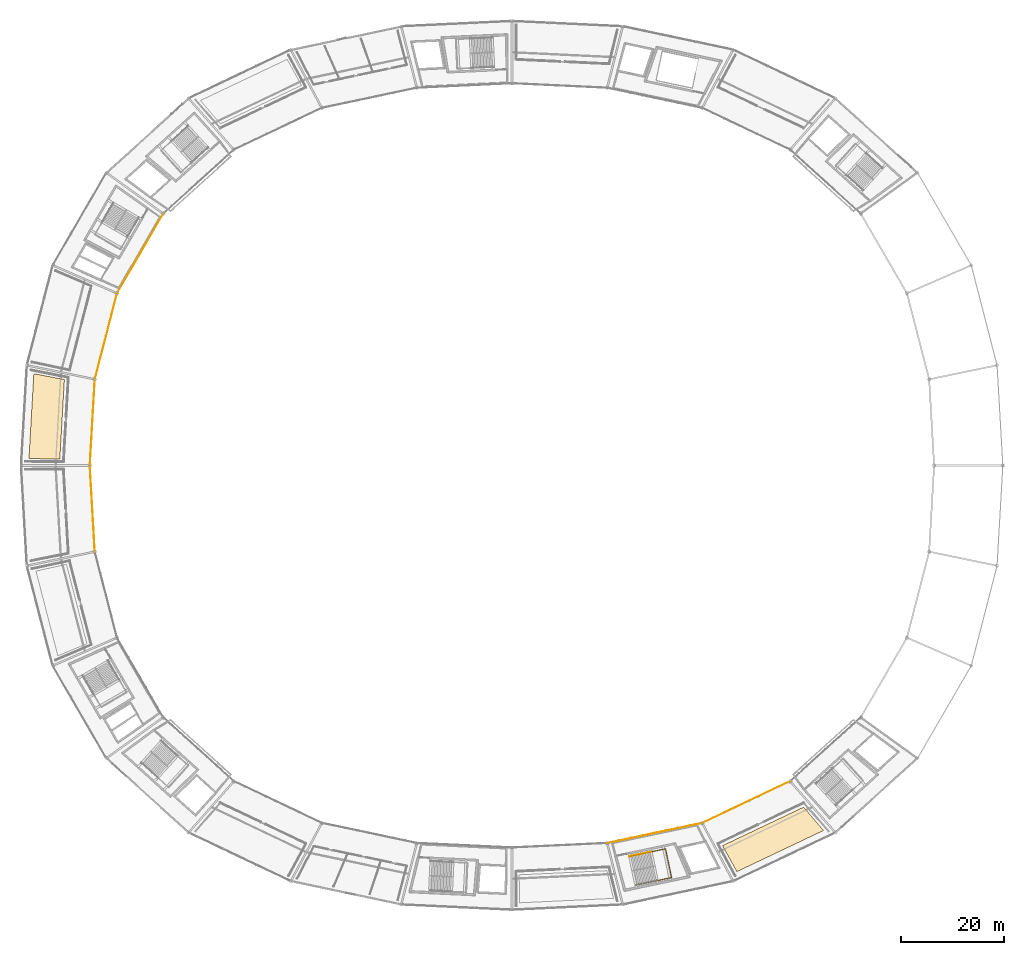
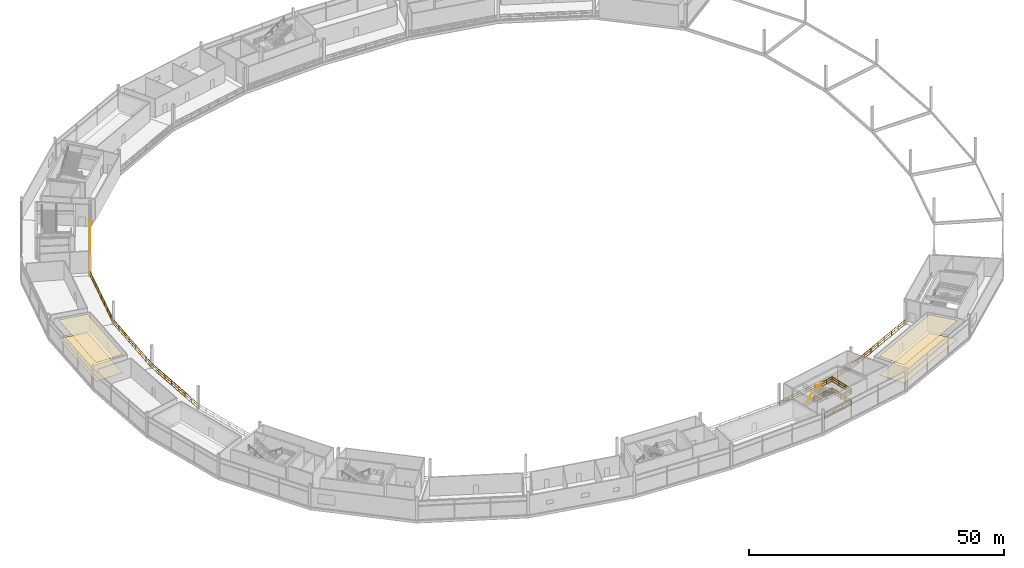
# One storey, part 99 of 103: 9 railings, 4 coverings.
"""IFC4 building model written with IfcOpenShell, lengths in metres."""

from ifc_helpers import new_model, si_unit, direction, frame, origin, origin_2d, place, context, subcontext, project, spatial, polyline, rectangle, outline, extrude, material, layer, layer_set, type_object, element, save


model = new_model("IFC4")

# Units and contexts
model_context = context("Model", 3, precision=1e-05, world=origin(), true_north=direction((0.0, 1.0)))
body_context = subcontext(model_context, "Body", "Model", "MODEL_VIEW")
ifc_project = project(units=[si_unit("LENGTHUNIT", "METRE"), si_unit("AREAUNIT", "SQUARE_METRE"), si_unit("VOLUMEUNIT", "CUBIC_METRE"), si_unit("PLANEANGLEUNIT", "RADIAN"), si_unit("MASSUNIT", "GRAM", prefix="KILO")], contexts=[model_context])

# Site, building, storey
site_placement = place(None, origin())
site = spatial("IfcSite", under=ifc_project, at=site_placement, CompositionType="ELEMENT")
building_placement = place(site_placement, origin())
building = spatial("IfcBuilding", under=site, at=building_placement, Name="Kazemori Nagisa Stadium", CompositionType="ELEMENT")
storey_placement = place(building_placement, frame((0.0, 0.0, 25.840087890625)))
storey = spatial("IfcBuildingStorey", under=building, at=storey_placement, Name="L05", CompositionType="ELEMENT", Elevation=25.840087890625)

# Coverings
ifc_material_1 = material(Name="Mineral-fibre acoustic board", Category="gypsum")
ifc_layer_1 = layer(ifc_material_1, 0.02001953125, Name="Mineral-fibre acoustic board", Category="gypsum")
ifc_layer_set_1 = layer_set([ifc_layer_1], Name="Mineral-fibre acoustic board")
covering_type_1 = type_object("IfcCoveringType", Name="Cov_CEIL", PredefinedType="CEILING", material=ifc_layer_set_1)
covering_1_placement = place(storey_placement, frame((0.0, 0.0, 4.449951171875)))
element("IfcCovering", 1, at=covering_1_placement, inside=storey, type_object=covering_type_1, Name="Acoustic ceiling L05-B14", PredefinedType="CEILING", context=body_context, shape_type="SweptSolid", body=[
    extrude(outline(polyline([(36.36962890625, 118.6328125), (35.482177734375, 103.251953125), (29.502197265625, 103.33740234375), (30.4501953125, 119.769287109375), (36.36962890625, 118.6328125)])), origin(), (0.0, 0.0, 1.0), 0.02001953125),
])
covering_2_placement = place(storey_placement, frame((0.0, 0.0, 4.449951171875)))
element("IfcCovering", 2, at=covering_2_placement, inside=storey, type_object=covering_type_1, Name="Acoustic ceiling L05-B24", PredefinedType="CEILING", context=body_context, shape_type="SweptSolid", body=[
    extrude(outline(polyline([(163.743408203125, 28.4189453125), (179.43798828125, 35.876708984375), (183.294189453125, 31.3583984375), (166.52734375, 23.39111328125), (163.743408203125, 28.4189453125)])), origin(), (0.0, 0.0, 1.0), 0.02001953125),
])
ifc_material_2 = material(Name="Porcelain stoneware tile", Category="masonry")
ifc_layer_2 = layer(ifc_material_2, 0.02490234375, Name="Porcelain stoneware tile", Category="masonry")
ifc_layer_set_2 = layer_set([ifc_layer_2], Name="Porcelain stoneware tile")
covering_type_2 = type_object("IfcCoveringType", Name="Cov_FLOOR", PredefinedType="FLOORING", material=ifc_layer_set_2)
covering_3_placement = place(storey_placement, origin())
element("IfcCovering", 3, at=covering_3_placement, inside=storey, type_object=covering_type_2, Name="Porcelain floor finish L05-B14", PredefinedType="FLOORING", context=body_context, shape_type="SweptSolid", body=[
    extrude(outline(polyline([(36.36962890625, 118.6328125), (35.482177734375, 103.251953125), (29.502197265625, 103.33740234375), (30.4501953125, 119.769287109375), (36.36962890625, 118.6328125)])), origin(), (0.0, 0.0, 1.0), 0.02490234375),
])
covering_4_placement = place(storey_placement, origin())
element("IfcCovering", 4, at=covering_4_placement, inside=storey, type_object=covering_type_2, Name="Porcelain floor finish L05-B24", PredefinedType="FLOORING", context=body_context, shape_type="SweptSolid", body=[
    extrude(outline(polyline([(163.743408203125, 28.4189453125), (179.43798828125, 35.876708984375), (183.294189453125, 31.3583984375), (166.52734375, 23.39111328125), (163.743408203125, 28.4189453125)])), origin(), (0.0, 0.0, 1.0), 0.02490234375),
])

# Railings
ifc_material_3 = material(Name="Laminated safety glass and stainless steel SUS304", Category="steel")
railing_type_1 = type_object("IfcRailingType", Name="Rail_BAL", PredefinedType="BALUSTRADE", material=ifc_material_3)
railing_1_placement = place(storey_placement, frame((55.493896484375, 150.734130859375, 0.0)))
element("IfcRailing", 5, at=railing_1_placement, inside=storey, type_object=railing_type_1, Name="Upper concourse balustrade L05-B12", PredefinedType="BALUSTRADE", context=body_context, shape_type="SweptSolid", body=[
    extrude(rectangle(XDim=0.050048828125, YDim=0.050048828125, at=origin_2d()), frame((0.0, 0.0, 1.09521484375), z_axis=(-0.501606704589, -0.865095783085, 0.0), x_axis=(0.865095783085, -0.501606704589, 0.0)), (0.0, 0.0, 1.0), 17.8125),
    extrude(rectangle(XDim=0.03759765625, YDim=0.03759765625, at=origin_2d()), frame((0.0, 0.0, 0.58251953125), z_axis=(-0.501606704589, -0.865095783085, 0.0), x_axis=(0.865095783085, -0.501606704589, 0.0)), (0.0, 0.0, 1.0), 17.8125),
    extrude(rectangle(XDim=0.03759765625, YDim=0.03759765625, at=origin_2d()), frame((0.0, 0.0, 0.02490234375), z_axis=(-0.501606704589, -0.865095783085, 0.0), x_axis=(0.865095783085, -0.501606704589, 0.0)), (0.0, 0.0, 1.0), 17.8125),
    extrude(rectangle(XDim=0.044921875, YDim=0.044921875, at=origin_2d()), origin(), (0.0, 0.0, 1.0), 1.070068359375),
    extrude(rectangle(XDim=0.044921875, YDim=0.044921875, at=origin_2d()), frame((-1.116943359375, -1.92626953125, 0.0)), (0.0, 0.0, 1.0), 1.070068359375),
    extrude(rectangle(XDim=0.044921875, YDim=0.044921875, at=origin_2d()), frame((-2.233642578125, -3.852294921875, 0.0)), (0.0, 0.0, 1.0), 1.070068359375),
    extrude(rectangle(XDim=0.044921875, YDim=0.044921875, at=origin_2d()), frame((-3.3505859375, -5.778564453125, 0.0)), (0.0, 0.0, 1.0), 1.070068359375),
    extrude(rectangle(XDim=0.044921875, YDim=0.044921875, at=origin_2d()), frame((-4.46728515625, -7.70458984375, 0.0)), (0.0, 0.0, 1.0), 1.070068359375),
    extrude(rectangle(XDim=0.044921875, YDim=0.044921875, at=origin_2d()), frame((-5.584228515625, -9.630859375, 0.0)), (0.0, 0.0, 1.0), 1.070068359375),
    extrude(rectangle(XDim=0.044921875, YDim=0.044921875, at=origin_2d()), frame((-6.701171875, -11.55712890625, 0.0)), (0.0, 0.0, 1.0), 1.070068359375),
    extrude(rectangle(XDim=0.044921875, YDim=0.044921875, at=origin_2d()), frame((-7.81787109375, -13.483154296875, 0.0)), (0.0, 0.0, 1.0), 1.070068359375),
    extrude(rectangle(XDim=0.044921875, YDim=0.044921875, at=origin_2d()), frame((-8.934814453125, -15.409423828125, 0.0)), (0.0, 0.0, 1.0), 1.070068359375),
])
railing_2_placement = place(storey_placement, frame((46.55908203125, 135.32470703125, 0.0)))
element("IfcRailing", 6, at=railing_2_placement, inside=storey, type_object=railing_type_1, Name="Upper concourse balustrade L05-B13", PredefinedType="BALUSTRADE", context=body_context, shape_type="SweptSolid", body=[
    extrude(rectangle(XDim=0.050048828125, YDim=0.050048828125, at=origin_2d()), frame((0.0, 0.0, 1.09521484375), z_axis=(-0.249974673676, -0.968252375427, 0.0), x_axis=(0.968252375427, -0.249974673676, 0.0)), (0.0, 0.0, 1.0), 17.188232421875),
    extrude(rectangle(XDim=0.03759765625, YDim=0.03759765625, at=origin_2d()), frame((0.0, 0.0, 0.58251953125), z_axis=(-0.249974673676, -0.968252375427, 0.0), x_axis=(0.968252375427, -0.249974673676, 0.0)), (0.0, 0.0, 1.0), 17.188232421875),
    extrude(rectangle(XDim=0.03759765625, YDim=0.03759765625, at=origin_2d()), frame((0.0, 0.0, 0.02490234375), z_axis=(-0.249974673676, -0.968252375427, 0.0), x_axis=(0.968252375427, -0.249974673676, 0.0)), (0.0, 0.0, 1.0), 17.188232421875),
    extrude(rectangle(XDim=0.044921875, YDim=0.044921875, at=origin_2d()), origin(), (0.0, 0.0, 1.0), 1.070068359375),
    extrude(rectangle(XDim=0.044921875, YDim=0.044921875, at=origin_2d()), frame((-0.537109375, -2.080322265625, 0.0)), (0.0, 0.0, 1.0), 1.070068359375),
    extrude(rectangle(XDim=0.044921875, YDim=0.044921875, at=origin_2d()), frame((-1.07421875, -4.16064453125, 0.0)), (0.0, 0.0, 1.0), 1.070068359375),
    extrude(rectangle(XDim=0.044921875, YDim=0.044921875, at=origin_2d()), frame((-1.611328125, -6.240966796875, 0.0)), (0.0, 0.0, 1.0), 1.070068359375),
    extrude(rectangle(XDim=0.044921875, YDim=0.044921875, at=origin_2d()), frame((-2.1484375, -8.3212890625, 0.0)), (0.0, 0.0, 1.0), 1.070068359375),
    extrude(rectangle(XDim=0.044921875, YDim=0.044921875, at=origin_2d()), frame((-2.685302734375, -10.401611328125, 0.0)), (0.0, 0.0, 1.0), 1.070068359375),
    extrude(rectangle(XDim=0.044921875, YDim=0.044921875, at=origin_2d()), frame((-3.222412109375, -12.48193359375, 0.0)), (0.0, 0.0, 1.0), 1.070068359375),
    extrude(rectangle(XDim=0.044921875, YDim=0.044921875, at=origin_2d()), frame((-3.759521484375, -14.562255859375, 0.0)), (0.0, 0.0, 1.0), 1.070068359375),
    extrude(rectangle(XDim=0.044921875, YDim=0.044921875, at=origin_2d()), frame((-4.296630859375, -16.642578125, 0.0)), (0.0, 0.0, 1.0), 1.070068359375),
])
railing_3_placement = place(storey_placement, frame((42.262451171875, 118.68212890625, 0.0)))
element("IfcRailing", 7, at=railing_3_placement, inside=storey, type_object=railing_type_1, Name="Upper concourse balustrade L05-B14", PredefinedType="BALUSTRADE", context=body_context, shape_type="SweptSolid", body=[
    extrude(rectangle(XDim=0.050048828125, YDim=0.050048828125, at=origin_2d()), frame((0.0, 0.0, 1.09521484375), z_axis=(-0.057594854854, -0.998340038611, 0.0), x_axis=(0.998340038611, -0.057594854854, 0.0)), (0.0, 0.0, 1.0), 16.7099609375),
    extrude(rectangle(XDim=0.03759765625, YDim=0.03759765625, at=origin_2d()), frame((0.0, 0.0, 0.58251953125), z_axis=(-0.057594854854, -0.998340038611, 0.0), x_axis=(0.998340038611, -0.057594854854, 0.0)), (0.0, 0.0, 1.0), 16.7099609375),
    extrude(rectangle(XDim=0.03759765625, YDim=0.03759765625, at=origin_2d()), frame((0.0, 0.0, 0.02490234375), z_axis=(-0.057594854854, -0.998340038611, 0.0), x_axis=(0.998340038611, -0.057594854854, 0.0)), (0.0, 0.0, 1.0), 16.7099609375),
    extrude(rectangle(XDim=0.044921875, YDim=0.044921875, at=origin_2d()), origin(), (0.0, 0.0, 1.0), 1.070068359375),
    extrude(rectangle(XDim=0.044921875, YDim=0.044921875, at=origin_2d()), frame((-0.137451171875, -2.383056640625, 0.0)), (0.0, 0.0, 1.0), 1.070068359375),
    extrude(rectangle(XDim=0.044921875, YDim=0.044921875, at=origin_2d()), frame((-0.27490234375, -4.766357421875, 0.0)), (0.0, 0.0, 1.0), 1.070068359375),
    extrude(rectangle(XDim=0.044921875, YDim=0.044921875, at=origin_2d()), frame((-0.412353515625, -7.1494140625, 0.0)), (0.0, 0.0, 1.0), 1.070068359375),
    extrude(rectangle(XDim=0.044921875, YDim=0.044921875, at=origin_2d()), frame((-0.550048828125, -9.53271484375, 0.0)), (0.0, 0.0, 1.0), 1.070068359375),
    extrude(rectangle(XDim=0.044921875, YDim=0.044921875, at=origin_2d()), frame((-0.6875, -11.915771484375, 0.0)), (0.0, 0.0, 1.0), 1.070068359375),
    extrude(rectangle(XDim=0.044921875, YDim=0.044921875, at=origin_2d()), frame((-0.824951171875, -14.299072265625, 0.0)), (0.0, 0.0, 1.0), 1.070068359375),
    extrude(rectangle(XDim=0.044921875, YDim=0.044921875, at=origin_2d()), frame((-0.96240234375, -16.68212890625, 0.0)), (0.0, 0.0, 1.0), 1.070068359375),
])
railing_4_placement = place(storey_placement, frame((41.300048828125, 102.0, 0.0)))
element("IfcRailing", 8, at=railing_4_placement, inside=storey, type_object=railing_type_1, Name="Upper concourse balustrade L05-B15", PredefinedType="BALUSTRADE", context=body_context, shape_type="SweptSolid", body=[
    extrude(rectangle(XDim=0.050048828125, YDim=0.050048828125, at=origin_2d()), frame((0.0, 0.0, 1.09521484375), z_axis=(0.057594854854, -0.998340038611, 0.0), x_axis=(0.998340038611, 0.057594854854, 0.0)), (0.0, 0.0, 1.0), 16.7099609375),
    extrude(rectangle(XDim=0.03759765625, YDim=0.03759765625, at=origin_2d()), frame((0.0, 0.0, 0.58251953125), z_axis=(0.057594854854, -0.998340038611, 0.0), x_axis=(0.998340038611, 0.057594854854, 0.0)), (0.0, 0.0, 1.0), 16.7099609375),
    extrude(rectangle(XDim=0.03759765625, YDim=0.03759765625, at=origin_2d()), frame((0.0, 0.0, 0.02490234375), z_axis=(0.057594854854, -0.998340038611, 0.0), x_axis=(0.998340038611, 0.057594854854, 0.0)), (0.0, 0.0, 1.0), 16.7099609375),
    extrude(rectangle(XDim=0.044921875, YDim=0.044921875, at=origin_2d()), origin(), (0.0, 0.0, 1.0), 1.070068359375),
    extrude(rectangle(XDim=0.044921875, YDim=0.044921875, at=origin_2d()), frame((0.137451171875, -2.383056640625, 0.0)), (0.0, 0.0, 1.0), 1.070068359375),
    extrude(rectangle(XDim=0.044921875, YDim=0.044921875, at=origin_2d()), frame((0.27490234375, -4.766357421875, 0.0)), (0.0, 0.0, 1.0), 1.070068359375),
    extrude(rectangle(XDim=0.044921875, YDim=0.044921875, at=origin_2d()), frame((0.412353515625, -7.1494140625, 0.0)), (0.0, 0.0, 1.0), 1.070068359375),
    extrude(rectangle(XDim=0.044921875, YDim=0.044921875, at=origin_2d()), frame((0.550048828125, -9.53271484375, 0.0)), (0.0, 0.0, 1.0), 1.070068359375),
    extrude(rectangle(XDim=0.044921875, YDim=0.044921875, at=origin_2d()), frame((0.6875, -11.915771484375, 0.0)), (0.0, 0.0, 1.0), 1.070068359375),
    extrude(rectangle(XDim=0.044921875, YDim=0.044921875, at=origin_2d()), frame((0.824951171875, -14.299072265625, 0.0)), (0.0, 0.0, 1.0), 1.070068359375),
    extrude(rectangle(XDim=0.044921875, YDim=0.044921875, at=origin_2d()), frame((0.96240234375, -16.68212890625, 0.0)), (0.0, 0.0, 1.0), 1.070068359375),
])
railing_5_placement = place(storey_placement, frame((141.427734375, 28.911376953125, 0.0)))
element("IfcRailing", 9, at=railing_5_placement, inside=storey, type_object=railing_type_1, Name="Upper concourse balustrade L05-B23", PredefinedType="BALUSTRADE", context=body_context, shape_type="SweptSolid", body=[
    extrude(rectangle(XDim=0.050048828125, YDim=0.050048828125, at=origin_2d()), frame((0.0, 0.0, 1.09521484375), z_axis=(0.978345149833, 0.206980114499, 0.0), x_axis=(-0.206980114499, 0.978345149833, 0.0)), (0.0, 0.0, 1.0), 18.791259765625),
    extrude(rectangle(XDim=0.03759765625, YDim=0.03759765625, at=origin_2d()), frame((0.0, 0.0, 0.58251953125), z_axis=(0.978345149833, 0.206980114499, 0.0), x_axis=(-0.206980114499, 0.978345149833, 0.0)), (0.0, 0.0, 1.0), 18.791259765625),
    extrude(rectangle(XDim=0.03759765625, YDim=0.03759765625, at=origin_2d()), frame((0.0, 0.0, 0.02490234375), z_axis=(0.978345149833, 0.206980114499, 0.0), x_axis=(-0.206980114499, 0.978345149833, 0.0)), (0.0, 0.0, 1.0), 18.791259765625),
    extrude(rectangle(XDim=0.044921875, YDim=0.044921875, at=origin_2d()), origin(), (0.0, 0.0, 1.0), 1.070068359375),
    extrude(rectangle(XDim=0.044921875, YDim=0.044921875, at=origin_2d()), frame((2.298095703125, 0.486083984375, 0.0)), (0.0, 0.0, 1.0), 1.070068359375),
    extrude(rectangle(XDim=0.044921875, YDim=0.044921875, at=origin_2d()), frame((4.59619140625, 0.972412109375, 0.0)), (0.0, 0.0, 1.0), 1.070068359375),
    extrude(rectangle(XDim=0.044921875, YDim=0.044921875, at=origin_2d()), frame((6.89404296875, 1.45849609375, 0.0)), (0.0, 0.0, 1.0), 1.070068359375),
    extrude(rectangle(XDim=0.044921875, YDim=0.044921875, at=origin_2d()), frame((9.192138671875, 1.94482421875, 0.0)), (0.0, 0.0, 1.0), 1.070068359375),
    extrude(rectangle(XDim=0.044921875, YDim=0.044921875, at=origin_2d()), frame((11.490234375, 2.430908203125, 0.0)), (0.0, 0.0, 1.0), 1.070068359375),
    extrude(rectangle(XDim=0.044921875, YDim=0.044921875, at=origin_2d()), frame((13.7880859375, 2.9169921875, 0.0)), (0.0, 0.0, 1.0), 1.070068359375),
    extrude(rectangle(XDim=0.044921875, YDim=0.044921875, at=origin_2d()), frame((16.086181640625, 3.4033203125, 0.0)), (0.0, 0.0, 1.0), 1.070068359375),
    extrude(rectangle(XDim=0.044921875, YDim=0.044921875, at=origin_2d()), frame((18.38427734375, 3.889404296875, 0.0)), (0.0, 0.0, 1.0), 1.070068359375),
])
railing_6_placement = place(storey_placement, frame((159.81201171875, 32.80078125, 0.0)))
element("IfcRailing", 10, at=railing_6_placement, inside=storey, type_object=railing_type_1, Name="Upper concourse balustrade L05-B24", PredefinedType="BALUSTRADE", context=body_context, shape_type="SweptSolid", body=[
    extrude(rectangle(XDim=0.050048828125, YDim=0.050048828125, at=origin_2d()), frame((0.0, 0.0, 1.09521484375), z_axis=(0.90321938295, 0.42917915404, 0.0), x_axis=(-0.42917915404, 0.90321938295, 0.0)), (0.0, 0.0, 1.0), 18.84619140625),
    extrude(rectangle(XDim=0.03759765625, YDim=0.03759765625, at=origin_2d()), frame((0.0, 0.0, 0.58251953125), z_axis=(0.90321938295, 0.42917915404, 0.0), x_axis=(-0.42917915404, 0.90321938295, 0.0)), (0.0, 0.0, 1.0), 18.84619140625),
    extrude(rectangle(XDim=0.03759765625, YDim=0.03759765625, at=origin_2d()), frame((0.0, 0.0, 0.02490234375), z_axis=(0.90321938295, 0.42917915404, 0.0), x_axis=(-0.42917915404, 0.90321938295, 0.0)), (0.0, 0.0, 1.0), 18.84619140625),
    extrude(rectangle(XDim=0.044921875, YDim=0.044921875, at=origin_2d()), origin(), (0.0, 0.0, 1.0), 1.070068359375),
    extrude(rectangle(XDim=0.044921875, YDim=0.044921875, at=origin_2d()), frame((2.127685546875, 1.010986328125, 0.0)), (0.0, 0.0, 1.0), 1.070068359375),
    extrude(rectangle(XDim=0.044921875, YDim=0.044921875, at=origin_2d()), frame((4.255615234375, 2.02197265625, 0.0)), (0.0, 0.0, 1.0), 1.070068359375),
    extrude(rectangle(XDim=0.044921875, YDim=0.044921875, at=origin_2d()), frame((6.38330078125, 3.033203125, 0.0)), (0.0, 0.0, 1.0), 1.070068359375),
    extrude(rectangle(XDim=0.044921875, YDim=0.044921875, at=origin_2d()), frame((8.51123046875, 4.044189453125, 0.0)), (0.0, 0.0, 1.0), 1.070068359375),
    extrude(rectangle(XDim=0.044921875, YDim=0.044921875, at=origin_2d()), frame((10.638916015625, 5.05517578125, 0.0)), (0.0, 0.0, 1.0), 1.070068359375),
    extrude(rectangle(XDim=0.044921875, YDim=0.044921875, at=origin_2d()), frame((12.7666015625, 6.06640625, 0.0)), (0.0, 0.0, 1.0), 1.070068359375),
    extrude(rectangle(XDim=0.044921875, YDim=0.044921875, at=origin_2d()), frame((14.89453125, 7.077392578125, 0.0)), (0.0, 0.0, 1.0), 1.070068359375),
    extrude(rectangle(XDim=0.044921875, YDim=0.044921875, at=origin_2d()), frame((17.022216796875, 8.08837890625, 0.0)), (0.0, 0.0, 1.0), 1.070068359375),
])
ifc_material_4 = material(Name="Galvanised powder-coated steel", Category="steel")
railing_type_2 = type_object("IfcRailingType", Name="Rail_GUARD", PredefinedType="GUARDRAIL", material=ifc_material_4)
railing_7_placement = place(storey_placement, frame((145.77685546875, 26.353271484375, 0.0)))
element("IfcRailing", 11, at=railing_7_placement, inside=storey, type_object=railing_type_2, Name="Stair well perimeter guard ST06-L05", PredefinedType="GUARDRAIL", context=body_context, shape_type="SweptSolid", body=[
    extrude(rectangle(XDim=0.050048828125, YDim=0.050048828125, at=origin_2d()), frame((0.0, 0.0, 1.09521484375), z_axis=(0.978345951351, 0.206976325879, 0.0), x_axis=(-0.206976325879, 0.978345951351, 0.0)), (0.0, 0.0, 1.0), 7.094970703125),
    extrude(rectangle(XDim=0.03759765625, YDim=0.03759765625, at=origin_2d()), frame((0.0, 0.0, 0.58251953125), z_axis=(0.978345951351, 0.206976325879, 0.0), x_axis=(-0.206976325879, 0.978345951351, 0.0)), (0.0, 0.0, 1.0), 7.094970703125),
    extrude(rectangle(XDim=0.03759765625, YDim=0.03759765625, at=origin_2d()), frame((0.0, 0.0, 0.02490234375), z_axis=(0.978345951351, 0.206976325879, 0.0), x_axis=(-0.206976325879, 0.978345951351, 0.0)), (0.0, 0.0, 1.0), 7.094970703125),
    extrude(rectangle(XDim=0.050048828125, YDim=0.050048828125, at=origin_2d()), frame((6.94140625, 1.468505859375, 1.09521484375), z_axis=(0.206960167837, -0.978349369565, 0.0), x_axis=(0.978349369565, 0.206960167837, 0.0)), (0.0, 0.0, 1.0), 5.699951171875),
    extrude(rectangle(XDim=0.03759765625, YDim=0.03759765625, at=origin_2d()), frame((6.94140625, 1.468505859375, 0.58251953125), z_axis=(0.206960167837, -0.978349369565, 0.0), x_axis=(0.978349369565, 0.206960167837, 0.0)), (0.0, 0.0, 1.0), 5.699951171875),
    extrude(rectangle(XDim=0.03759765625, YDim=0.03759765625, at=origin_2d()), frame((6.94140625, 1.468505859375, 0.02490234375), z_axis=(0.206960167837, -0.978349369565, 0.0), x_axis=(0.978349369565, 0.206960167837, 0.0)), (0.0, 0.0, 1.0), 5.699951171875),
    extrude(rectangle(XDim=0.050048828125, YDim=0.050048828125, at=origin_2d()), frame((8.12109375, -4.108154296875, 1.09521484375), z_axis=(-0.978344477179, -0.206983293948, 0.0), x_axis=(0.206983293948, -0.978344477179, 0.0)), (0.0, 0.0, 1.0), 7.0947265625),
    extrude(rectangle(XDim=0.03759765625, YDim=0.03759765625, at=origin_2d()), frame((8.12109375, -4.108154296875, 0.58251953125), z_axis=(-0.978344477179, -0.206983293948, 0.0), x_axis=(0.206983293948, -0.978344477179, 0.0)), (0.0, 0.0, 1.0), 7.0947265625),
    extrude(rectangle(XDim=0.03759765625, YDim=0.03759765625, at=origin_2d()), frame((8.12109375, -4.108154296875, 0.02490234375), z_axis=(-0.978344477179, -0.206983293948, 0.0), x_axis=(0.206983293948, -0.978344477179, 0.0)), (0.0, 0.0, 1.0), 7.0947265625),
    extrude(rectangle(XDim=0.044921875, YDim=0.044921875, at=origin_2d()), origin(), (0.0, 0.0, 1.0), 1.070068359375),
    extrude(rectangle(XDim=0.044921875, YDim=0.044921875, at=origin_2d()), frame((2.313720703125, 0.489501953125, 0.0)), (0.0, 0.0, 1.0), 1.070068359375),
    extrude(rectangle(XDim=0.044921875, YDim=0.044921875, at=origin_2d()), frame((4.627685546875, 0.97900390625, 0.0)), (0.0, 0.0, 1.0), 1.070068359375),
    extrude(rectangle(XDim=0.044921875, YDim=0.044921875, at=origin_2d()), frame((6.94140625, 1.468505859375, 0.0)), (0.0, 0.0, 1.0), 1.070068359375),
    extrude(rectangle(XDim=0.044921875, YDim=0.044921875, at=origin_2d()), frame((7.334716796875, -0.390380859375, 0.0)), (0.0, 0.0, 1.0), 1.070068359375),
    extrude(rectangle(XDim=0.044921875, YDim=0.044921875, at=origin_2d()), frame((7.727783203125, -2.249267578125, 0.0)), (0.0, 0.0, 1.0), 1.070068359375),
    extrude(rectangle(XDim=0.044921875, YDim=0.044921875, at=origin_2d()), frame((8.12109375, -4.108154296875, 0.0)), (0.0, 0.0, 1.0), 1.070068359375),
    extrude(rectangle(XDim=0.044921875, YDim=0.044921875, at=origin_2d()), frame((5.807373046875, -4.59765625, 0.0)), (0.0, 0.0, 1.0), 1.070068359375),
    extrude(rectangle(XDim=0.044921875, YDim=0.044921875, at=origin_2d()), frame((3.49365234375, -5.087158203125, 0.0)), (0.0, 0.0, 1.0), 1.070068359375),
    extrude(rectangle(XDim=0.044921875, YDim=0.044921875, at=origin_2d()), frame((1.179931640625, -5.57666015625, 0.0)), (0.0, 0.0, 1.0), 1.070068359375),
])
railing_8_placement = place(storey_placement, frame((149.929931640625, 27.231689453125, 2.719970703125)))
element("IfcRailing", 12, at=railing_8_placement, inside=storey, type_object=railing_type_2, Name="Stair landing guard ST06-L05", PredefinedType="GUARDRAIL", context=body_context, shape_type="SweptSolid", body=[
    extrude(rectangle(XDim=0.050048828125, YDim=0.050048828125, at=origin_2d()), frame((0.0, 0.0, 1.09521484375), z_axis=(0.978332021586, 0.207042158845, 0.0), x_axis=(-0.207042158845, 0.978332021586, 0.0)), (0.0, 0.0, 1.0), 2.85009765625),
    extrude(rectangle(XDim=0.03759765625, YDim=0.03759765625, at=origin_2d()), frame((0.0, 0.0, 0.58251953125), z_axis=(0.978332021586, 0.207042158845, 0.0), x_axis=(-0.207042158845, 0.978332021586, 0.0)), (0.0, 0.0, 1.0), 2.85009765625),
    extrude(rectangle(XDim=0.03759765625, YDim=0.03759765625, at=origin_2d()), frame((0.0, 0.0, 0.02490234375), z_axis=(0.978332021586, 0.207042158845, 0.0), x_axis=(-0.207042158845, 0.978332021586, 0.0)), (0.0, 0.0, 1.0), 2.85009765625),
    extrude(rectangle(XDim=0.050048828125, YDim=0.050048828125, at=origin_2d()), frame((2.788330078125, 0.590087890625, 1.09521484375), z_axis=(0.206960167837, -0.978349369565, 0.0), x_axis=(0.978349369565, 0.206960167837, 0.0)), (0.0, 0.0, 1.0), 5.699951171875),
    extrude(rectangle(XDim=0.03759765625, YDim=0.03759765625, at=origin_2d()), frame((2.788330078125, 0.590087890625, 0.58251953125), z_axis=(0.206960167837, -0.978349369565, 0.0), x_axis=(0.978349369565, 0.206960167837, 0.0)), (0.0, 0.0, 1.0), 5.699951171875),
    extrude(rectangle(XDim=0.03759765625, YDim=0.03759765625, at=origin_2d()), frame((2.788330078125, 0.590087890625, 0.02490234375), z_axis=(0.206960167837, -0.978349369565, 0.0), x_axis=(0.978349369565, 0.206960167837, 0.0)), (0.0, 0.0, 1.0), 5.699951171875),
    extrude(rectangle(XDim=0.050048828125, YDim=0.050048828125, at=origin_2d()), frame((3.968017578125, -4.986572265625, 1.09521484375), z_axis=(-0.978345699972, -0.20697751411, 0.0), x_axis=(0.20697751411, -0.978345699972, 0.0)), (0.0, 0.0, 1.0), 2.849853515625),
    extrude(rectangle(XDim=0.03759765625, YDim=0.03759765625, at=origin_2d()), frame((3.968017578125, -4.986572265625, 0.58251953125), z_axis=(-0.978345699972, -0.20697751411, 0.0), x_axis=(0.20697751411, -0.978345699972, 0.0)), (0.0, 0.0, 1.0), 2.849853515625),
    extrude(rectangle(XDim=0.03759765625, YDim=0.03759765625, at=origin_2d()), frame((3.968017578125, -4.986572265625, 0.02490234375), z_axis=(-0.978345699972, -0.20697751411, 0.0), x_axis=(0.20697751411, -0.978345699972, 0.0)), (0.0, 0.0, 1.0), 2.849853515625),
    extrude(rectangle(XDim=0.044921875, YDim=0.044921875, at=origin_2d()), origin(), (0.0, 0.0, 1.0), 1.070068359375),
    extrude(rectangle(XDim=0.044921875, YDim=0.044921875, at=origin_2d()), frame((1.39404296875, 0.294921875, 0.0)), (0.0, 0.0, 1.0), 1.070068359375),
    extrude(rectangle(XDim=0.044921875, YDim=0.044921875, at=origin_2d()), frame((2.788330078125, 0.590087890625, 0.0)), (0.0, 0.0, 1.0), 1.070068359375),
    extrude(rectangle(XDim=0.044921875, YDim=0.044921875, at=origin_2d()), frame((3.181640625, -1.268798828125, 0.0)), (0.0, 0.0, 1.0), 1.070068359375),
    extrude(rectangle(XDim=0.044921875, YDim=0.044921875, at=origin_2d()), frame((3.57470703125, -3.127685546875, 0.0)), (0.0, 0.0, 1.0), 1.070068359375),
    extrude(rectangle(XDim=0.044921875, YDim=0.044921875, at=origin_2d()), frame((3.968017578125, -4.986572265625, 0.0)), (0.0, 0.0, 1.0), 1.070068359375),
    extrude(rectangle(XDim=0.044921875, YDim=0.044921875, at=origin_2d()), frame((2.573974609375, -5.281494140625, 0.0)), (0.0, 0.0, 1.0), 1.070068359375),
    extrude(rectangle(XDim=0.044921875, YDim=0.044921875, at=origin_2d()), frame((1.179931640625, -5.576416015625, 0.0)), (0.0, 0.0, 1.0), 1.070068359375),
])
ifc_material_5 = material(Name="Stainless steel SUS304", Category="steel")
railing_type_3 = type_object("IfcRailingType", Name="Rail_HAND", PredefinedType="HANDRAIL", material=ifc_material_5)
railing_9_placement = place(storey_placement, frame((145.69873046875, 26.336669921875, 0.169921875)))
element("IfcRailing", 13, at=railing_9_placement, inside=storey, type_object=railing_type_3, Name="Stair handrail ST06-L05-F1", PredefinedType="HANDRAIL", context=body_context, shape_type="SweptSolid", body=[
    extrude(rectangle(XDim=0.050048828125, YDim=0.050048828125, at=origin_2d()), frame((0.0, 0.0, 0.875), z_axis=(0.828178122726, 0.175183255318, 0.532383155345), x_axis=(-0.206949239158, 0.978351681356, 0.0)), (0.0, 0.0, 1.0), 5.109130859375),
    extrude(rectangle(XDim=0.044921875, YDim=0.044921875, at=origin_2d()), origin(), (0.0, 0.0, 1.0), 0.849853515625),
    extrude(rectangle(XDim=0.044921875, YDim=0.044921875, at=origin_2d()), frame((1.410400390625, 0.29833984375, 0.90673828125)), (0.0, 0.0, 1.0), 0.849853515625),
    extrude(rectangle(XDim=0.044921875, YDim=0.044921875, at=origin_2d()), frame((2.82080078125, 0.5966796875, 1.813232421875)), (0.0, 0.0, 1.0), 0.849853515625),
    extrude(rectangle(XDim=0.044921875, YDim=0.044921875, at=origin_2d()), frame((4.231201171875, 0.89501953125, 2.719970703125)), (0.0, 0.0, 1.0), 0.849853515625),
])

save(model, "model.ifc")
